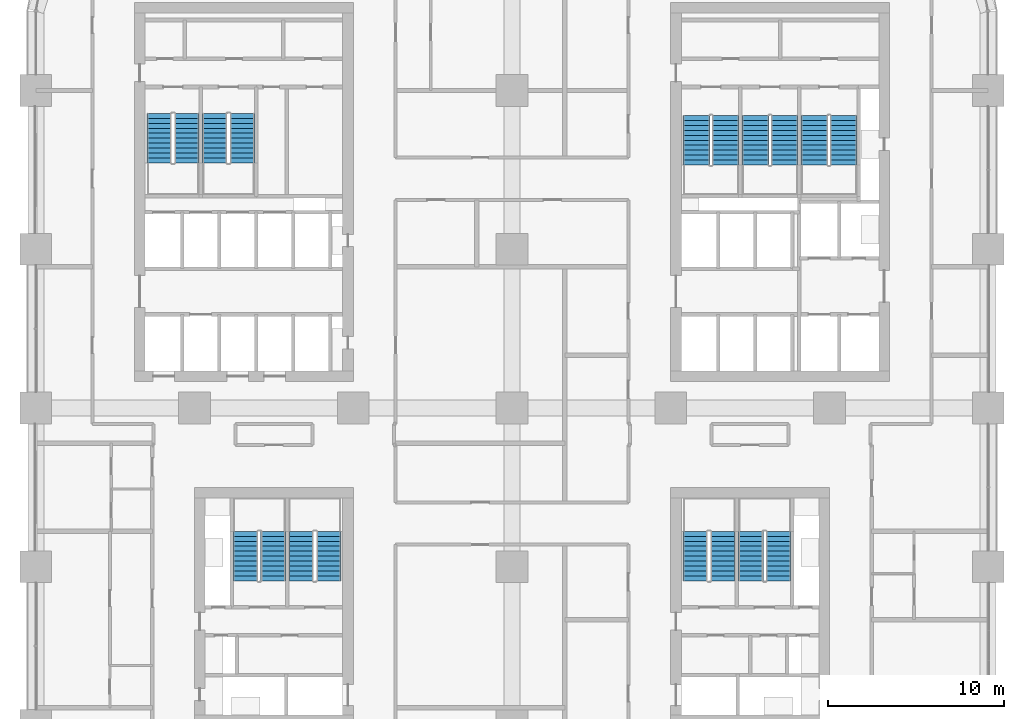
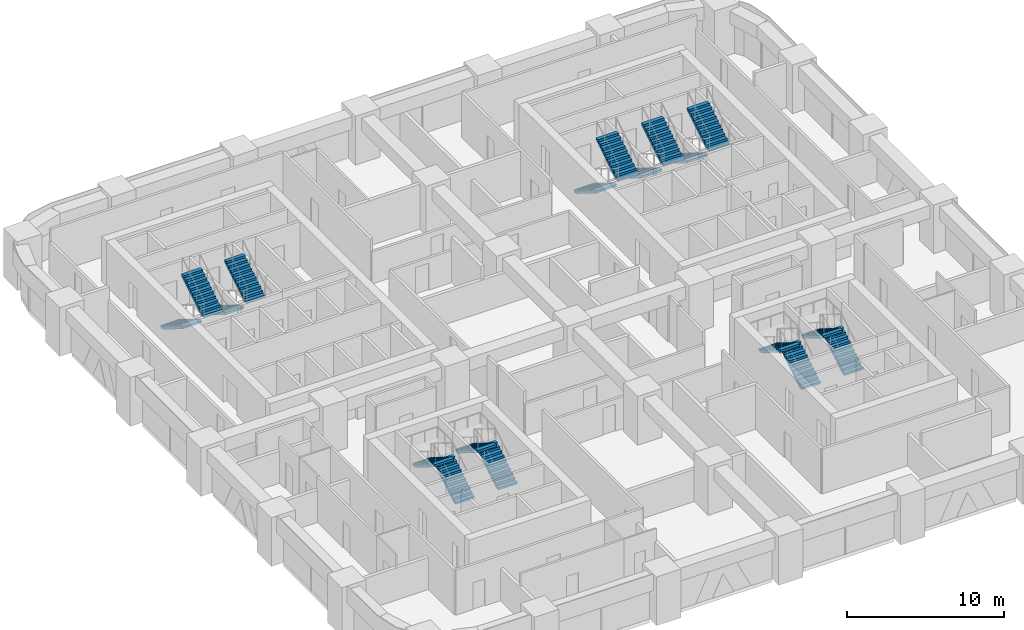
# One storey, part 19 of 21: 18 stair flights, 9 elements without a shape of their own.
"""IFC4 building model written with IfcOpenShell, lengths in metres."""

from ifc_helpers import new_model, si_unit, direction, frame, origin, place, context, subcontext, project, spatial, polyline, outline, extrude, material, type_object, element, aggregate, save


model = new_model("IFC4")

# Units and contexts
model_context = context("Model", 3, precision=1e-05, world=origin(), true_north=direction((0.0, 1.0)))
body_context = subcontext(model_context, "Body", "Model", "MODEL_VIEW")
ifc_project = project(units=[si_unit("LENGTHUNIT", "METRE"), si_unit("AREAUNIT", "SQUARE_METRE"), si_unit("VOLUMEUNIT", "CUBIC_METRE"), si_unit("PLANEANGLEUNIT", "RADIAN"), si_unit("MASSUNIT", "GRAM", prefix="KILO")], contexts=[model_context])

# Site, building, storey
site_placement = place(None, origin())
site = spatial("IfcSite", under=ifc_project, at=site_placement, CompositionType="ELEMENT")
building_placement = place(site_placement, origin())
building = spatial("IfcBuilding", under=site, at=building_placement, Name="Tessera Arch", CompositionType="ELEMENT")
storey_placement = place(building_placement, frame((0.0, 0.0, 50.0)))
storey = spatial("IfcBuildingStorey", under=building, at=storey_placement, Name="L10", CompositionType="ELEMENT", Elevation=50.0)

# Stair, stair flights
ifc_material_1 = material(Name="Concrete C40/50", Category="concrete")
stair_type_1 = type_object("IfcStairType", Name="Dogleg stair 1400", PredefinedType="HALF_TURN_STAIR", material=ifc_material_1)
stair_1_placement = place(storey_placement, origin())
stair_1 = element("IfcStair", 1, at=stair_1_placement, inside=storey, type_object=stair_type_1, Name="L10 S2a", PredefinedType="HALF_TURN_STAIR")
ifc_material_2 = material(Name="Concrete C40/50", Category="concrete")
stair_flight_type_1 = type_object("IfcStairFlightType", Name="Stair flight 1400", PredefinedType="STRAIGHT", material=ifc_material_2)
stair_flight_1_placement = place(storey_placement, frame((7.0, 43.699951171875, 0.0), z_axis=(0.0, 0.0, 1.0), x_axis=(0.0, -1.0, 0.0)))
stair_flight_1 = element("IfcStairFlight", 2, at=stair_flight_1_placement, type_object=stair_flight_type_1, Name="S2a flight 1", NumberOfRisers=11, NumberOfTreads=10, PredefinedType="STRAIGHT", RiserHeight=0.172727273, TreadLength=0.28, context=body_context, shape_type="SweptSolid", body=[
    extrude(outline(polyline([(0.0, 0.0), (0.0, 0.172607421875), (0.280029296875, 0.172607421875), (0.280029296875, 0.345458984375), (0.56005859375, 0.345458984375), (0.56005859375, 0.51806640625), (0.840087890625, 0.51806640625), (0.840087890625, 0.69091796875), (1.1201171875, 0.69091796875), (1.1201171875, 0.863525390625), (1.39990234375, 0.863525390625), (1.39990234375, 1.036376953125), (1.679931640625, 1.036376953125), (1.679931640625, 1.208984375), (1.9599609375, 1.208984375), (1.9599609375, 1.3818359375), (2.239990234375, 1.3818359375), (2.239990234375, 1.554443359375), (2.52001953125, 1.554443359375), (2.52001953125, 1.727294921875), (2.800048828125, 1.727294921875), (2.800048828125, 1.89990234375), (2.800048828125, 1.551025390625), (0.285400390625, 0.0), (0.0, 0.0)])), frame((0.0, 0.699951171875, 0.0), z_axis=(0.0, -1.0, 0.0), x_axis=(1.0, 0.0, 0.0)), (0.0, 0.0, 1.0), 1.39990234375),
])
stair_flight_2_placement = place(storey_placement, frame((8.550048828125, 40.89990234375, 1.89990234375), z_axis=(0.0, 0.0, 1.0), x_axis=(0.0, 1.0, 0.0)))
stair_flight_2 = element("IfcStairFlight", 3, at=stair_flight_2_placement, type_object=stair_flight_type_1, Name="S2a flight 2", NumberOfRisers=11, NumberOfTreads=10, PredefinedType="STRAIGHT", RiserHeight=0.172727273, TreadLength=0.28, context=body_context, shape_type="SweptSolid", body=[
    extrude(outline(polyline([(0.0, 0.0), (0.0, 0.172607421875), (0.280029296875, 0.172607421875), (0.280029296875, 0.345458984375), (0.56005859375, 0.345458984375), (0.56005859375, 0.51806640625), (0.840087890625, 0.51806640625), (0.840087890625, 0.69091796875), (1.1201171875, 0.69091796875), (1.1201171875, 0.863525390625), (1.39990234375, 0.863525390625), (1.39990234375, 1.036376953125), (1.679931640625, 1.036376953125), (1.679931640625, 1.208984375), (1.9599609375, 1.208984375), (1.9599609375, 1.3818359375), (2.239990234375, 1.3818359375), (2.239990234375, 1.554443359375), (2.52001953125, 1.554443359375), (2.52001953125, 1.727294921875), (2.800048828125, 1.727294921875), (2.800048828125, 1.89990234375), (2.800048828125, 1.551025390625), (0.285400390625, 0.0), (0.0, 0.0)])), frame((0.0, 0.699951171875, 0.0), z_axis=(0.0, -1.0, 0.0), x_axis=(1.0, 0.0, 0.0)), (0.0, 0.0, 1.0), 1.39990234375),
])
aggregate(stair_1, [stair_flight_1, stair_flight_2])

stair_2_placement = place(storey_placement, origin())
stair_2 = element("IfcStair", 4, at=stair_2_placement, inside=storey, type_object=stair_type_1, Name="L10 S2b", PredefinedType="HALF_TURN_STAIR")
stair_flight_3_placement = place(storey_placement, frame((10.14990234375, 43.699951171875, 0.0), z_axis=(0.0, 0.0, 1.0), x_axis=(0.0, -1.0, 0.0)))
stair_flight_3 = element("IfcStairFlight", 5, at=stair_flight_3_placement, type_object=stair_flight_type_1, Name="S2b flight 1", NumberOfRisers=11, NumberOfTreads=10, PredefinedType="STRAIGHT", RiserHeight=0.172727273, TreadLength=0.28, context=body_context, shape_type="SweptSolid", body=[
    extrude(outline(polyline([(0.0, 0.0), (0.0, 0.172607421875), (0.280029296875, 0.172607421875), (0.280029296875, 0.345458984375), (0.56005859375, 0.345458984375), (0.56005859375, 0.51806640625), (0.840087890625, 0.51806640625), (0.840087890625, 0.69091796875), (1.1201171875, 0.69091796875), (1.1201171875, 0.863525390625), (1.39990234375, 0.863525390625), (1.39990234375, 1.036376953125), (1.679931640625, 1.036376953125), (1.679931640625, 1.208984375), (1.9599609375, 1.208984375), (1.9599609375, 1.3818359375), (2.239990234375, 1.3818359375), (2.239990234375, 1.554443359375), (2.52001953125, 1.554443359375), (2.52001953125, 1.727294921875), (2.800048828125, 1.727294921875), (2.800048828125, 1.89990234375), (2.800048828125, 1.551025390625), (0.285400390625, 0.0), (0.0, 0.0)])), frame((0.0, 0.699951171875, 0.0), z_axis=(0.0, -1.0, 0.0), x_axis=(1.0, 0.0, 0.0)), (0.0, 0.0, 1.0), 1.39990234375),
])
stair_flight_4_placement = place(storey_placement, frame((11.699951171875, 40.89990234375, 1.89990234375), z_axis=(0.0, 0.0, 1.0), x_axis=(0.0, 1.0, 0.0)))
stair_flight_4 = element("IfcStairFlight", 6, at=stair_flight_4_placement, type_object=stair_flight_type_1, Name="S2b flight 2", NumberOfRisers=11, NumberOfTreads=10, PredefinedType="STRAIGHT", RiserHeight=0.172727273, TreadLength=0.28, context=body_context, shape_type="SweptSolid", body=[
    extrude(outline(polyline([(0.0, 0.0), (0.0, 0.172607421875), (0.280029296875, 0.172607421875), (0.280029296875, 0.345458984375), (0.56005859375, 0.345458984375), (0.56005859375, 0.51806640625), (0.840087890625, 0.51806640625), (0.840087890625, 0.69091796875), (1.1201171875, 0.69091796875), (1.1201171875, 0.863525390625), (1.39990234375, 0.863525390625), (1.39990234375, 1.036376953125), (1.679931640625, 1.036376953125), (1.679931640625, 1.208984375), (1.9599609375, 1.208984375), (1.9599609375, 1.3818359375), (2.239990234375, 1.3818359375), (2.239990234375, 1.554443359375), (2.52001953125, 1.554443359375), (2.52001953125, 1.727294921875), (2.800048828125, 1.727294921875), (2.800048828125, 1.89990234375), (2.800048828125, 1.551025390625), (0.285400390625, 0.0), (0.0, 0.0)])), frame((0.0, 0.699951171875, 0.0), z_axis=(0.0, -1.0, 0.0), x_axis=(1.0, 0.0, 0.0)), (0.0, 0.0, 1.0), 1.39990234375),
])
aggregate(stair_2, [stair_flight_3, stair_flight_4])

stair_3_placement = place(storey_placement, origin())
stair_3 = element("IfcStair", 7, at=stair_3_placement, inside=storey, type_object=stair_type_1, Name="L10 S3a", PredefinedType="HALF_TURN_STAIR")
stair_flight_5_placement = place(storey_placement, frame((38.949951171875, 17.199951171875, 0.0), z_axis=(0.0, 0.0, 1.0), x_axis=(0.0, 1.0, 0.0)))
stair_flight_5 = element("IfcStairFlight", 8, at=stair_flight_5_placement, type_object=stair_flight_type_1, Name="S3a flight 1", NumberOfRisers=11, NumberOfTreads=10, PredefinedType="STRAIGHT", RiserHeight=0.172727273, TreadLength=0.28, context=body_context, shape_type="SweptSolid", body=[
    extrude(outline(polyline([(0.0, 0.0), (0.0, 0.172607421875), (0.280029296875, 0.172607421875), (0.280029296875, 0.345458984375), (0.56005859375, 0.345458984375), (0.56005859375, 0.51806640625), (0.840087890625, 0.51806640625), (0.840087890625, 0.69091796875), (1.1201171875, 0.69091796875), (1.1201171875, 0.863525390625), (1.39990234375, 0.863525390625), (1.39990234375, 1.036376953125), (1.679931640625, 1.036376953125), (1.679931640625, 1.208984375), (1.9599609375, 1.208984375), (1.9599609375, 1.3818359375), (2.239990234375, 1.3818359375), (2.239990234375, 1.554443359375), (2.52001953125, 1.554443359375), (2.52001953125, 1.727294921875), (2.800048828125, 1.727294921875), (2.800048828125, 1.89990234375), (2.800048828125, 1.551025390625), (0.285400390625, 0.0), (0.0, 0.0)])), frame((0.0, 0.699951171875, 0.0), z_axis=(0.0, -1.0, 0.0), x_axis=(1.0, 0.0, 0.0)), (0.0, 0.0, 1.0), 1.39990234375),
])
stair_flight_6_placement = place(storey_placement, frame((37.39990234375, 20.0, 1.89990234375), z_axis=(0.0, 0.0, 1.0), x_axis=(0.0, -1.0, 0.0)))
stair_flight_6 = element("IfcStairFlight", 9, at=stair_flight_6_placement, type_object=stair_flight_type_1, Name="S3a flight 2", NumberOfRisers=11, NumberOfTreads=10, PredefinedType="STRAIGHT", RiserHeight=0.172727273, TreadLength=0.28, context=body_context, shape_type="SweptSolid", body=[
    extrude(outline(polyline([(0.0, 0.0), (0.0, 0.172607421875), (0.280029296875, 0.172607421875), (0.280029296875, 0.345458984375), (0.56005859375, 0.345458984375), (0.56005859375, 0.51806640625), (0.840087890625, 0.51806640625), (0.840087890625, 0.69091796875), (1.1201171875, 0.69091796875), (1.1201171875, 0.863525390625), (1.39990234375, 0.863525390625), (1.39990234375, 1.036376953125), (1.679931640625, 1.036376953125), (1.679931640625, 1.208984375), (1.9599609375, 1.208984375), (1.9599609375, 1.3818359375), (2.239990234375, 1.3818359375), (2.239990234375, 1.554443359375), (2.52001953125, 1.554443359375), (2.52001953125, 1.727294921875), (2.800048828125, 1.727294921875), (2.800048828125, 1.89990234375), (2.800048828125, 1.551025390625), (0.285400390625, 0.0), (0.0, 0.0)])), frame((0.0, 0.699951171875, 0.0), z_axis=(0.0, -1.0, 0.0), x_axis=(1.0, 0.0, 0.0)), (0.0, 0.0, 1.0), 1.39990234375),
])
aggregate(stair_3, [stair_flight_5, stair_flight_6])

stair_4_placement = place(storey_placement, origin())
stair_4 = element("IfcStair", 10, at=stair_4_placement, inside=storey, type_object=stair_type_1, Name="L10 S3b", PredefinedType="HALF_TURN_STAIR")
stair_flight_7_placement = place(storey_placement, frame((42.10009765625, 17.199951171875, 0.0), z_axis=(0.0, 0.0, 1.0), x_axis=(0.0, 1.0, 0.0)))
stair_flight_7 = element("IfcStairFlight", 11, at=stair_flight_7_placement, type_object=stair_flight_type_1, Name="S3b flight 1", NumberOfRisers=11, NumberOfTreads=10, PredefinedType="STRAIGHT", RiserHeight=0.172727273, TreadLength=0.28, context=body_context, shape_type="SweptSolid", body=[
    extrude(outline(polyline([(0.0, 0.0), (0.0, 0.172607421875), (0.280029296875, 0.172607421875), (0.280029296875, 0.345458984375), (0.56005859375, 0.345458984375), (0.56005859375, 0.51806640625), (0.840087890625, 0.51806640625), (0.840087890625, 0.69091796875), (1.1201171875, 0.69091796875), (1.1201171875, 0.863525390625), (1.39990234375, 0.863525390625), (1.39990234375, 1.036376953125), (1.679931640625, 1.036376953125), (1.679931640625, 1.208984375), (1.9599609375, 1.208984375), (1.9599609375, 1.3818359375), (2.239990234375, 1.3818359375), (2.239990234375, 1.554443359375), (2.52001953125, 1.554443359375), (2.52001953125, 1.727294921875), (2.800048828125, 1.727294921875), (2.800048828125, 1.89990234375), (2.800048828125, 1.551025390625), (0.285400390625, 0.0), (0.0, 0.0)])), frame((0.0, 0.699951171875, 0.0), z_axis=(0.0, -1.0, 0.0), x_axis=(1.0, 0.0, 0.0)), (0.0, 0.0, 1.0), 1.39990234375),
])
stair_flight_8_placement = place(storey_placement, frame((40.550048828125, 20.0, 1.89990234375), z_axis=(0.0, 0.0, 1.0), x_axis=(0.0, -1.0, 0.0)))
stair_flight_8 = element("IfcStairFlight", 12, at=stair_flight_8_placement, type_object=stair_flight_type_1, Name="S3b flight 2", NumberOfRisers=11, NumberOfTreads=10, PredefinedType="STRAIGHT", RiserHeight=0.172727273, TreadLength=0.28, context=body_context, shape_type="SweptSolid", body=[
    extrude(outline(polyline([(0.0, 0.0), (0.0, 0.172607421875), (0.280029296875, 0.172607421875), (0.280029296875, 0.345458984375), (0.56005859375, 0.345458984375), (0.56005859375, 0.51806640625), (0.840087890625, 0.51806640625), (0.840087890625, 0.69091796875), (1.1201171875, 0.69091796875), (1.1201171875, 0.863525390625), (1.39990234375, 0.863525390625), (1.39990234375, 1.036376953125), (1.679931640625, 1.036376953125), (1.679931640625, 1.208984375), (1.9599609375, 1.208984375), (1.9599609375, 1.3818359375), (2.239990234375, 1.3818359375), (2.239990234375, 1.554443359375), (2.52001953125, 1.554443359375), (2.52001953125, 1.727294921875), (2.800048828125, 1.727294921875), (2.800048828125, 1.89990234375), (2.800048828125, 1.551025390625), (0.285400390625, 0.0), (0.0, 0.0)])), frame((0.0, 0.699951171875, 0.0), z_axis=(0.0, -1.0, 0.0), x_axis=(1.0, 0.0, 0.0)), (0.0, 0.0, 1.0), 1.39990234375),
])
aggregate(stair_4, [stair_flight_7, stair_flight_8])

stair_5_placement = place(storey_placement, origin())
stair_5 = element("IfcStair", 13, at=stair_5_placement, inside=storey, type_object=stair_type_1, Name="L10 S4a", PredefinedType="HALF_TURN_STAIR")
stair_flight_9_placement = place(storey_placement, frame((16.60009765625, 17.199951171875, 0.0), z_axis=(0.0, 0.0, 1.0), x_axis=(0.0, 1.0, 0.0)))
stair_flight_9 = element("IfcStairFlight", 14, at=stair_flight_9_placement, type_object=stair_flight_type_1, Name="S4a flight 1", NumberOfRisers=11, NumberOfTreads=10, PredefinedType="STRAIGHT", RiserHeight=0.172727273, TreadLength=0.28, context=body_context, shape_type="SweptSolid", body=[
    extrude(outline(polyline([(0.0, 0.0), (0.0, 0.172607421875), (0.280029296875, 0.172607421875), (0.280029296875, 0.345458984375), (0.56005859375, 0.345458984375), (0.56005859375, 0.51806640625), (0.840087890625, 0.51806640625), (0.840087890625, 0.69091796875), (1.1201171875, 0.69091796875), (1.1201171875, 0.863525390625), (1.39990234375, 0.863525390625), (1.39990234375, 1.036376953125), (1.679931640625, 1.036376953125), (1.679931640625, 1.208984375), (1.9599609375, 1.208984375), (1.9599609375, 1.3818359375), (2.239990234375, 1.3818359375), (2.239990234375, 1.554443359375), (2.52001953125, 1.554443359375), (2.52001953125, 1.727294921875), (2.800048828125, 1.727294921875), (2.800048828125, 1.89990234375), (2.800048828125, 1.551025390625), (0.285400390625, 0.0), (0.0, 0.0)])), frame((0.0, 0.699951171875, 0.0), z_axis=(0.0, -1.0, 0.0), x_axis=(1.0, 0.0, 0.0)), (0.0, 0.0, 1.0), 1.39990234375),
])
stair_flight_10_placement = place(storey_placement, frame((15.050048828125, 20.0, 1.89990234375), z_axis=(0.0, 0.0, 1.0), x_axis=(0.0, -1.0, 0.0)))
stair_flight_10 = element("IfcStairFlight", 15, at=stair_flight_10_placement, type_object=stair_flight_type_1, Name="S4a flight 2", NumberOfRisers=11, NumberOfTreads=10, PredefinedType="STRAIGHT", RiserHeight=0.172727273, TreadLength=0.28, context=body_context, shape_type="SweptSolid", body=[
    extrude(outline(polyline([(0.0, 0.0), (0.0, 0.172607421875), (0.280029296875, 0.172607421875), (0.280029296875, 0.345458984375), (0.56005859375, 0.345458984375), (0.56005859375, 0.51806640625), (0.840087890625, 0.51806640625), (0.840087890625, 0.69091796875), (1.1201171875, 0.69091796875), (1.1201171875, 0.863525390625), (1.39990234375, 0.863525390625), (1.39990234375, 1.036376953125), (1.679931640625, 1.036376953125), (1.679931640625, 1.208984375), (1.9599609375, 1.208984375), (1.9599609375, 1.3818359375), (2.239990234375, 1.3818359375), (2.239990234375, 1.554443359375), (2.52001953125, 1.554443359375), (2.52001953125, 1.727294921875), (2.800048828125, 1.727294921875), (2.800048828125, 1.89990234375), (2.800048828125, 1.551025390625), (0.285400390625, 0.0), (0.0, 0.0)])), frame((0.0, 0.699951171875, 0.0), z_axis=(0.0, -1.0, 0.0), x_axis=(1.0, 0.0, 0.0)), (0.0, 0.0, 1.0), 1.39990234375),
])
aggregate(stair_5, [stair_flight_9, stair_flight_10])

stair_6_placement = place(storey_placement, origin())
stair_6 = element("IfcStair", 16, at=stair_6_placement, inside=storey, type_object=stair_type_1, Name="L10 S4b", PredefinedType="HALF_TURN_STAIR")
stair_flight_11_placement = place(storey_placement, frame((13.449951171875, 17.199951171875, 0.0), z_axis=(0.0, 0.0, 1.0), x_axis=(0.0, 1.0, 0.0)))
stair_flight_11 = element("IfcStairFlight", 17, at=stair_flight_11_placement, type_object=stair_flight_type_1, Name="S4b flight 1", NumberOfRisers=11, NumberOfTreads=10, PredefinedType="STRAIGHT", RiserHeight=0.172727273, TreadLength=0.28, context=body_context, shape_type="SweptSolid", body=[
    extrude(outline(polyline([(0.0, 0.0), (0.0, 0.172607421875), (0.280029296875, 0.172607421875), (0.280029296875, 0.345458984375), (0.56005859375, 0.345458984375), (0.56005859375, 0.51806640625), (0.840087890625, 0.51806640625), (0.840087890625, 0.69091796875), (1.1201171875, 0.69091796875), (1.1201171875, 0.863525390625), (1.39990234375, 0.863525390625), (1.39990234375, 1.036376953125), (1.679931640625, 1.036376953125), (1.679931640625, 1.208984375), (1.9599609375, 1.208984375), (1.9599609375, 1.3818359375), (2.239990234375, 1.3818359375), (2.239990234375, 1.554443359375), (2.52001953125, 1.554443359375), (2.52001953125, 1.727294921875), (2.800048828125, 1.727294921875), (2.800048828125, 1.89990234375), (2.800048828125, 1.551025390625), (0.285400390625, 0.0), (0.0, 0.0)])), frame((0.0, 0.699951171875, 0.0), z_axis=(0.0, -1.0, 0.0), x_axis=(1.0, 0.0, 0.0)), (0.0, 0.0, 1.0), 1.39990234375),
])
stair_flight_12_placement = place(storey_placement, frame((11.89990234375, 20.0, 1.89990234375), z_axis=(0.0, 0.0, 1.0), x_axis=(0.0, -1.0, 0.0)))
stair_flight_12 = element("IfcStairFlight", 18, at=stair_flight_12_placement, type_object=stair_flight_type_1, Name="S4b flight 2", NumberOfRisers=11, NumberOfTreads=10, PredefinedType="STRAIGHT", RiserHeight=0.172727273, TreadLength=0.28, context=body_context, shape_type="SweptSolid", body=[
    extrude(outline(polyline([(0.0, 0.0), (0.0, 0.172607421875), (0.280029296875, 0.172607421875), (0.280029296875, 0.345458984375), (0.56005859375, 0.345458984375), (0.56005859375, 0.51806640625), (0.840087890625, 0.51806640625), (0.840087890625, 0.69091796875), (1.1201171875, 0.69091796875), (1.1201171875, 0.863525390625), (1.39990234375, 0.863525390625), (1.39990234375, 1.036376953125), (1.679931640625, 1.036376953125), (1.679931640625, 1.208984375), (1.9599609375, 1.208984375), (1.9599609375, 1.3818359375), (2.239990234375, 1.3818359375), (2.239990234375, 1.554443359375), (2.52001953125, 1.554443359375), (2.52001953125, 1.727294921875), (2.800048828125, 1.727294921875), (2.800048828125, 1.89990234375), (2.800048828125, 1.551025390625), (0.285400390625, 0.0), (0.0, 0.0)])), frame((0.0, 0.699951171875, 0.0), z_axis=(0.0, -1.0, 0.0), x_axis=(1.0, 0.0, 0.0)), (0.0, 0.0, 1.0), 1.39990234375),
])
aggregate(stair_6, [stair_flight_11, stair_flight_12])

ifc_material_3 = material(Name="Concrete C40/50", Category="concrete")
stair_type_2 = type_object("IfcStairType", Name="Dogleg stair 1520", PredefinedType="HALF_TURN_STAIR", material=ifc_material_3)
stair_7_placement = place(storey_placement, origin())
stair_7 = element("IfcStair", 19, at=stair_7_placement, inside=storey, type_object=stair_type_2, Name="L10 S1a", PredefinedType="HALF_TURN_STAIR")
ifc_material_4 = material(Name="Concrete C40/50", Category="concrete")
stair_flight_type_2 = type_object("IfcStairFlightType", Name="Stair flight 1520", PredefinedType="STRAIGHT", material=ifc_material_4)
stair_flight_13_placement = place(storey_placement, frame((37.4599609375, 43.580078125, 0.0), z_axis=(0.0, 0.0, 1.0), x_axis=(0.0, -1.0, 0.0)))
stair_flight_13 = element("IfcStairFlight", 20, at=stair_flight_13_placement, type_object=stair_flight_type_2, Name="S1a flight 1", NumberOfRisers=11, NumberOfTreads=10, PredefinedType="STRAIGHT", RiserHeight=0.172727273, TreadLength=0.28, context=body_context, shape_type="SweptSolid", body=[
    extrude(outline(polyline([(0.0, 0.0), (0.0, 0.172607421875), (0.280029296875, 0.172607421875), (0.280029296875, 0.345458984375), (0.56005859375, 0.345458984375), (0.56005859375, 0.51806640625), (0.840087890625, 0.51806640625), (0.840087890625, 0.69091796875), (1.1201171875, 0.69091796875), (1.1201171875, 0.863525390625), (1.39990234375, 0.863525390625), (1.39990234375, 1.036376953125), (1.679931640625, 1.036376953125), (1.679931640625, 1.208984375), (1.9599609375, 1.208984375), (1.9599609375, 1.3818359375), (2.239990234375, 1.3818359375), (2.239990234375, 1.554443359375), (2.52001953125, 1.554443359375), (2.52001953125, 1.727294921875), (2.800048828125, 1.727294921875), (2.800048828125, 1.89990234375), (2.800048828125, 1.551025390625), (0.285400390625, 0.0), (0.0, 0.0)])), frame((0.0, 0.760009765625, 0.0), z_axis=(0.0, -1.0, 0.0), x_axis=(1.0, 0.0, 0.0)), (0.0, 0.0, 1.0), 1.52001953125),
])
stair_flight_14_placement = place(storey_placement, frame((39.090087890625, 40.780029296875, 1.89990234375), z_axis=(0.0, 0.0, 1.0), x_axis=(0.0, 1.0, 0.0)))
stair_flight_14 = element("IfcStairFlight", 21, at=stair_flight_14_placement, type_object=stair_flight_type_2, Name="S1a flight 2", NumberOfRisers=11, NumberOfTreads=10, PredefinedType="STRAIGHT", RiserHeight=0.172727273, TreadLength=0.28, context=body_context, shape_type="SweptSolid", body=[
    extrude(outline(polyline([(0.0, 0.0), (0.0, 0.172607421875), (0.280029296875, 0.172607421875), (0.280029296875, 0.345458984375), (0.56005859375, 0.345458984375), (0.56005859375, 0.51806640625), (0.840087890625, 0.51806640625), (0.840087890625, 0.69091796875), (1.1201171875, 0.69091796875), (1.1201171875, 0.863525390625), (1.39990234375, 0.863525390625), (1.39990234375, 1.036376953125), (1.679931640625, 1.036376953125), (1.679931640625, 1.208984375), (1.9599609375, 1.208984375), (1.9599609375, 1.3818359375), (2.239990234375, 1.3818359375), (2.239990234375, 1.554443359375), (2.52001953125, 1.554443359375), (2.52001953125, 1.727294921875), (2.800048828125, 1.727294921875), (2.800048828125, 1.89990234375), (2.800048828125, 1.551025390625), (0.285400390625, 0.0), (0.0, 0.0)])), frame((0.0, 0.760009765625, 0.0), z_axis=(0.0, -1.0, 0.0), x_axis=(1.0, 0.0, 0.0)), (0.0, 0.0, 1.0), 1.52001953125),
])
aggregate(stair_7, [stair_flight_13, stair_flight_14])

stair_8_placement = place(storey_placement, origin())
stair_8 = element("IfcStair", 22, at=stair_8_placement, inside=storey, type_object=stair_type_2, Name="L10 S1b", PredefinedType="HALF_TURN_STAIR")
stair_flight_15_placement = place(storey_placement, frame((40.81005859375, 43.580078125, 0.0), z_axis=(0.0, 0.0, 1.0), x_axis=(0.0, -1.0, 0.0)))
stair_flight_15 = element("IfcStairFlight", 23, at=stair_flight_15_placement, type_object=stair_flight_type_2, Name="S1b flight 1", NumberOfRisers=11, NumberOfTreads=10, PredefinedType="STRAIGHT", RiserHeight=0.172727273, TreadLength=0.28, context=body_context, shape_type="SweptSolid", body=[
    extrude(outline(polyline([(0.0, 0.0), (0.0, 0.172607421875), (0.280029296875, 0.172607421875), (0.280029296875, 0.345458984375), (0.56005859375, 0.345458984375), (0.56005859375, 0.51806640625), (0.840087890625, 0.51806640625), (0.840087890625, 0.69091796875), (1.1201171875, 0.69091796875), (1.1201171875, 0.863525390625), (1.39990234375, 0.863525390625), (1.39990234375, 1.036376953125), (1.679931640625, 1.036376953125), (1.679931640625, 1.208984375), (1.9599609375, 1.208984375), (1.9599609375, 1.3818359375), (2.239990234375, 1.3818359375), (2.239990234375, 1.554443359375), (2.52001953125, 1.554443359375), (2.52001953125, 1.727294921875), (2.800048828125, 1.727294921875), (2.800048828125, 1.89990234375), (2.800048828125, 1.551025390625), (0.285400390625, 0.0), (0.0, 0.0)])), frame((0.0, 0.760009765625, 0.0), z_axis=(0.0, -1.0, 0.0), x_axis=(1.0, 0.0, 0.0)), (0.0, 0.0, 1.0), 1.52001953125),
])
stair_flight_16_placement = place(storey_placement, frame((42.43994140625, 40.780029296875, 1.89990234375), z_axis=(0.0, 0.0, 1.0), x_axis=(0.0, 1.0, 0.0)))
stair_flight_16 = element("IfcStairFlight", 24, at=stair_flight_16_placement, type_object=stair_flight_type_2, Name="S1b flight 2", NumberOfRisers=11, NumberOfTreads=10, PredefinedType="STRAIGHT", RiserHeight=0.172727273, TreadLength=0.28, context=body_context, shape_type="SweptSolid", body=[
    extrude(outline(polyline([(0.0, 0.0), (0.0, 0.172607421875), (0.280029296875, 0.172607421875), (0.280029296875, 0.345458984375), (0.56005859375, 0.345458984375), (0.56005859375, 0.51806640625), (0.840087890625, 0.51806640625), (0.840087890625, 0.69091796875), (1.1201171875, 0.69091796875), (1.1201171875, 0.863525390625), (1.39990234375, 0.863525390625), (1.39990234375, 1.036376953125), (1.679931640625, 1.036376953125), (1.679931640625, 1.208984375), (1.9599609375, 1.208984375), (1.9599609375, 1.3818359375), (2.239990234375, 1.3818359375), (2.239990234375, 1.554443359375), (2.52001953125, 1.554443359375), (2.52001953125, 1.727294921875), (2.800048828125, 1.727294921875), (2.800048828125, 1.89990234375), (2.800048828125, 1.551025390625), (0.285400390625, 0.0), (0.0, 0.0)])), frame((0.0, 0.760009765625, 0.0), z_axis=(0.0, -1.0, 0.0), x_axis=(1.0, 0.0, 0.0)), (0.0, 0.0, 1.0), 1.52001953125),
])
aggregate(stair_8, [stair_flight_15, stair_flight_16])

stair_9_placement = place(storey_placement, origin())
stair_9 = element("IfcStair", 25, at=stair_9_placement, inside=storey, type_object=stair_type_2, Name="L10 S1c", PredefinedType="HALF_TURN_STAIR")
stair_flight_17_placement = place(storey_placement, frame((44.159912109375, 43.580078125, 0.0), z_axis=(0.0, 0.0, 1.0), x_axis=(0.0, -1.0, 0.0)))
stair_flight_17 = element("IfcStairFlight", 26, at=stair_flight_17_placement, type_object=stair_flight_type_2, Name="S1c flight 1", NumberOfRisers=11, NumberOfTreads=10, PredefinedType="STRAIGHT", RiserHeight=0.172727273, TreadLength=0.28, context=body_context, shape_type="SweptSolid", body=[
    extrude(outline(polyline([(0.0, 0.0), (0.0, 0.172607421875), (0.280029296875, 0.172607421875), (0.280029296875, 0.345458984375), (0.56005859375, 0.345458984375), (0.56005859375, 0.51806640625), (0.840087890625, 0.51806640625), (0.840087890625, 0.69091796875), (1.1201171875, 0.69091796875), (1.1201171875, 0.863525390625), (1.39990234375, 0.863525390625), (1.39990234375, 1.036376953125), (1.679931640625, 1.036376953125), (1.679931640625, 1.208984375), (1.9599609375, 1.208984375), (1.9599609375, 1.3818359375), (2.239990234375, 1.3818359375), (2.239990234375, 1.554443359375), (2.52001953125, 1.554443359375), (2.52001953125, 1.727294921875), (2.800048828125, 1.727294921875), (2.800048828125, 1.89990234375), (2.800048828125, 1.551025390625), (0.285400390625, 0.0), (0.0, 0.0)])), frame((0.0, 0.760009765625, 0.0), z_axis=(0.0, -1.0, 0.0), x_axis=(1.0, 0.0, 0.0)), (0.0, 0.0, 1.0), 1.52001953125),
])
stair_flight_18_placement = place(storey_placement, frame((45.7900390625, 40.780029296875, 1.89990234375), z_axis=(0.0, 0.0, 1.0), x_axis=(0.0, 1.0, 0.0)))
stair_flight_18 = element("IfcStairFlight", 27, at=stair_flight_18_placement, type_object=stair_flight_type_2, Name="S1c flight 2", NumberOfRisers=11, NumberOfTreads=10, PredefinedType="STRAIGHT", RiserHeight=0.172727273, TreadLength=0.28, context=body_context, shape_type="SweptSolid", body=[
    extrude(outline(polyline([(0.0, 0.0), (0.0, 0.172607421875), (0.280029296875, 0.172607421875), (0.280029296875, 0.345458984375), (0.56005859375, 0.345458984375), (0.56005859375, 0.51806640625), (0.840087890625, 0.51806640625), (0.840087890625, 0.69091796875), (1.1201171875, 0.69091796875), (1.1201171875, 0.863525390625), (1.39990234375, 0.863525390625), (1.39990234375, 1.036376953125), (1.679931640625, 1.036376953125), (1.679931640625, 1.208984375), (1.9599609375, 1.208984375), (1.9599609375, 1.3818359375), (2.239990234375, 1.3818359375), (2.239990234375, 1.554443359375), (2.52001953125, 1.554443359375), (2.52001953125, 1.727294921875), (2.800048828125, 1.727294921875), (2.800048828125, 1.89990234375), (2.800048828125, 1.551025390625), (0.285400390625, 0.0), (0.0, 0.0)])), frame((0.0, 0.760009765625, 0.0), z_axis=(0.0, -1.0, 0.0), x_axis=(1.0, 0.0, 0.0)), (0.0, 0.0, 1.0), 1.52001953125),
])
aggregate(stair_9, [stair_flight_17, stair_flight_18])

save(model, "model.ifc")
